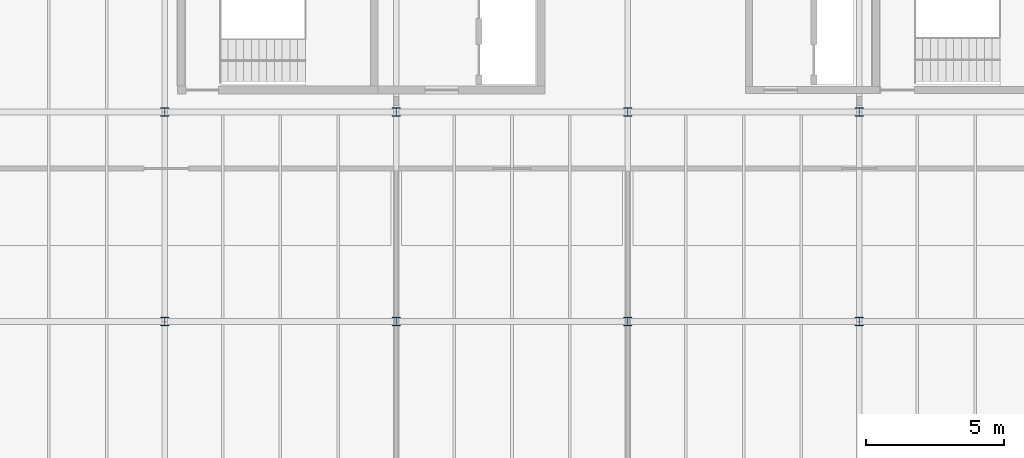
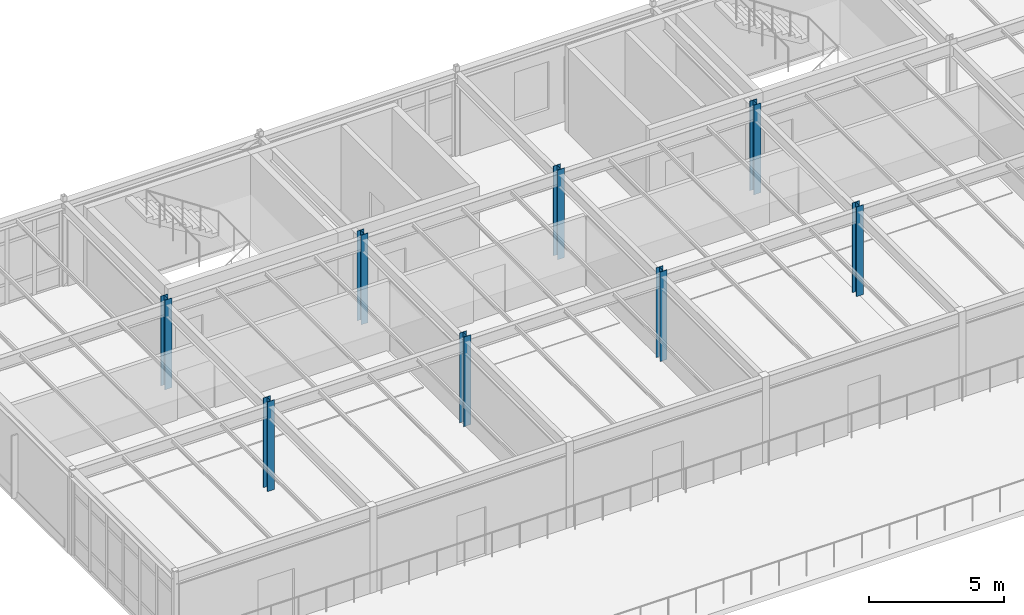
# One storey, part 5 of 65: 8 columns.
"""IFC4 building model written with IfcOpenShell, lengths in metres."""

from ifc_helpers import new_model, si_unit, direction, frame, origin, origin_2d, place, context, subcontext, project, spatial, i_section, extrude, material, material_profile, profile_set, type_object, element, save


model = new_model("IFC4")

# Units and contexts
model_context = context("Model", 3, precision=1e-05, world=origin(), true_north=direction((0.0, 1.0)))
body_context = subcontext(model_context, "Body", "Model", "MODEL_VIEW")
ifc_project = project(units=[si_unit("LENGTHUNIT", "METRE"), si_unit("AREAUNIT", "SQUARE_METRE"), si_unit("VOLUMEUNIT", "CUBIC_METRE"), si_unit("PLANEANGLEUNIT", "RADIAN"), si_unit("MASSUNIT", "GRAM", prefix="KILO")], contexts=[model_context])

# Site, building, storey
site_placement = place(None, origin())
site = spatial("IfcSite", under=ifc_project, at=site_placement, CompositionType="ELEMENT")
building_placement = place(site_placement, origin())
building = spatial("IfcBuilding", under=site, at=building_placement, Name="Montecoro Central Library", CompositionType="ELEMENT")
storey_placement = place(building_placement, frame((0.0, 0.0, 17.340087890625)))
storey = spatial("IfcBuildingStorey", under=building, at=storey_placement, Name="L04", CompositionType="ELEMENT", Elevation=17.340087890625)

# Columns
ifc_material = material(Name="Steel S355", Category="steel")
ifc_material_profile = material_profile(ifc_material, i_section(OverallWidth=0.300048828125, OverallDepth=0.320068359375, WebThickness=0.011474609375, FlangeThickness=0.0205078125, at=origin_2d()), Name="HEB 320")
ifc_profile_set = profile_set([ifc_material_profile], Name="Steel S355")
column_type = type_object("IfcColumnType", Name="COL-HEB320", PredefinedType="COLUMN", material=ifc_profile_set)
for number, where, z_axis, x_axis, name in (
    (1, (74.800048828125, 103.800048828125, 0.0), (0.0, 0.0, 1.0), (1.0, 0.0, 0.0), "V2-L04-COL-10-P"),
    (2, (74.800048828125, 111.39990234375, 0.0), (0.0, 0.0, 1.0), (1.0, 0.0, 0.0), "V2-L04-COL-10-Q"),
    (3, (83.199951171875, 103.800048828125, 0.0), (0.0, 0.0, 1.0), (1.0, 0.0, 0.0), "V2-L04-COL-11-P"),
    (4, (83.199951171875, 111.39990234375, 0.0), (0.0, 0.0, 1.0), (1.0, 0.0, 0.0), "V2-L04-COL-11-Q"),
    (5, (91.60009765625, 103.800048828125, 0.0), (0.0, 0.0, 1.0), (1.0, 0.0, 0.0), "V2-L04-COL-12-P"),
    (6, (91.60009765625, 111.39990234375, 0.0), (0.0, 0.0, 1.0), (1.0, 0.0, 0.0), "V2-L04-COL-12-Q"),
    (7, (100.0, 103.800048828125, 0.0), (0.0, 0.0, 1.0), (1.0, 0.0, 0.0), "V2-L04-COL-13-P"),
    (8, (100.0, 111.39990234375, 0.0), (0.0, 0.0, 1.0), (1.0, 0.0, 0.0), "V2-L04-COL-13-Q"),
):
    element("IfcColumn", number, at=place(storey_placement, frame(where, z_axis=z_axis, x_axis=x_axis)), inside=storey, type_object=column_type, Name=name, PredefinedType="COLUMN", context=body_context, shape_type="SweptSolid", body=[
        extrude(i_section(OverallWidth=0.300048828125, OverallDepth=0.320068359375, WebThickness=0.011474609375, FlangeThickness=0.0205078125, at=origin_2d()), origin(), (0.0, 0.0, 1.0), 4.054931640625),
    ])

save(model, "model.ifc")
